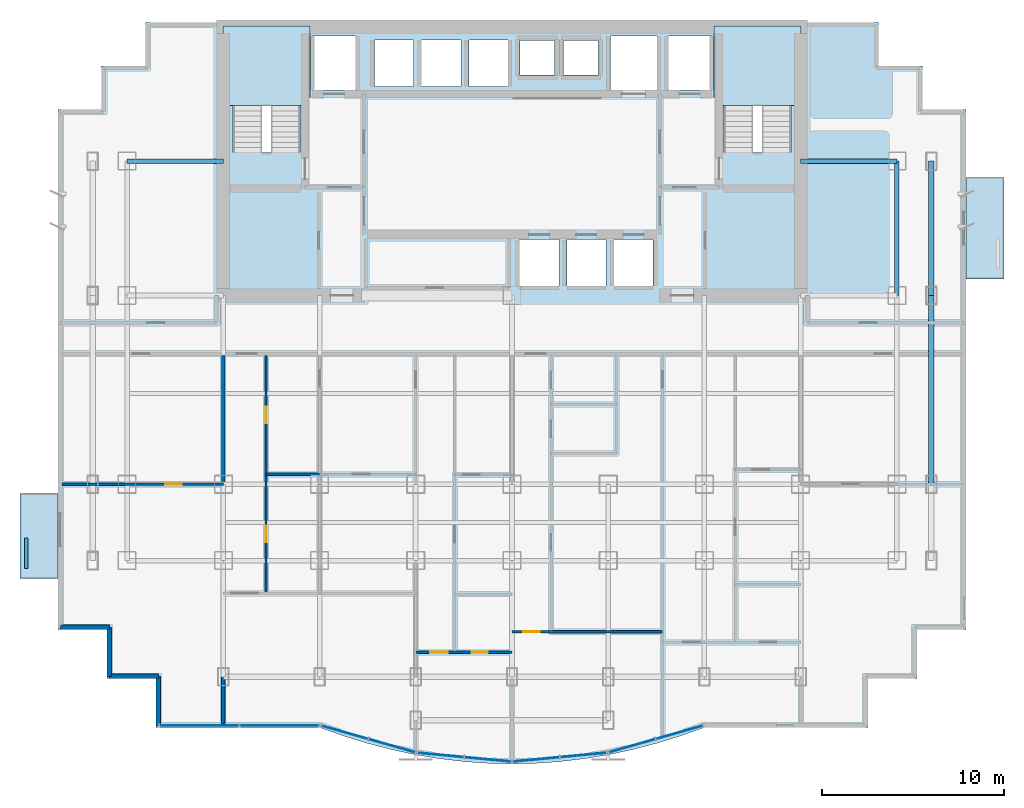
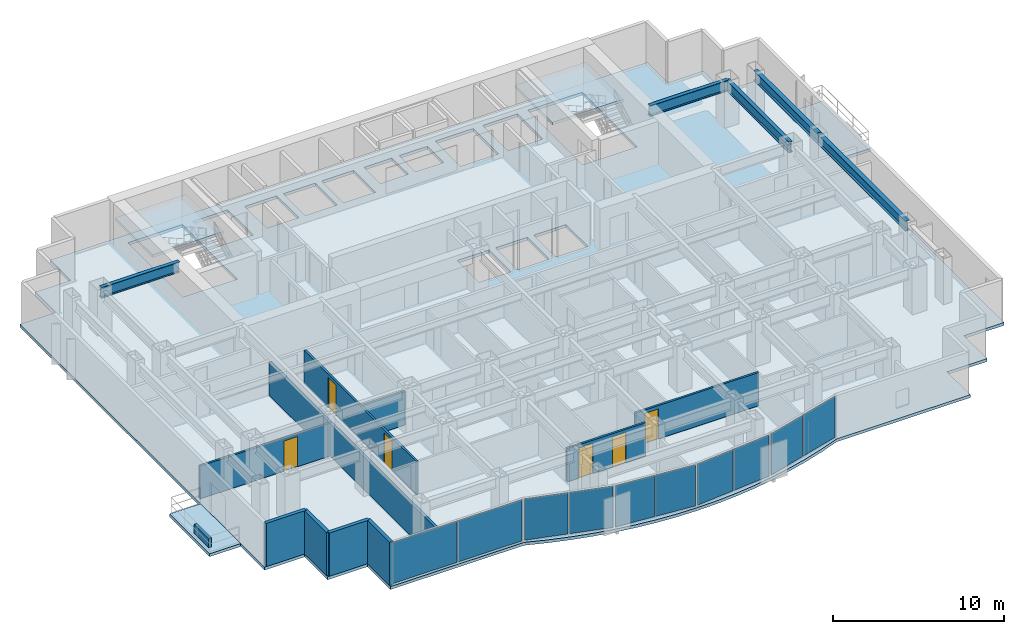
# One storey, part 4 of 10: 11 walls, 10 plates, 6 doors, 5 beams, 5 slabs, 6 openings, 7 elements without a shape of their own.
"""IFC4 building model written with IfcOpenShell, lengths in metres."""

from ifc_helpers import new_model, si_unit, direction, frame, frame_2d, origin, origin_2d, place, context, subcontext, project, spatial, polyline, rectangle, i_section, outline, extrude, source, transform, mapped, material, layer, layer_set, material_profile, profile_set, type_object, element, fill, aggregate, save


model = new_model("IFC4")

# Units and contexts
model_context = context("Model", 3, precision=1e-05, world=origin(), true_north=direction((0.0, 1.0)))
body_context = subcontext(model_context, "Body", "Model", "MODEL_VIEW")
ifc_project = project(units=[si_unit("LENGTHUNIT", "METRE"), si_unit("AREAUNIT", "SQUARE_METRE"), si_unit("VOLUMEUNIT", "CUBIC_METRE"), si_unit("PLANEANGLEUNIT", "RADIAN"), si_unit("MASSUNIT", "GRAM", prefix="KILO")], contexts=[model_context])

# Site, building, storey
site_placement = place(None, origin())
site = spatial("IfcSite", under=ifc_project, at=site_placement, CompositionType="ELEMENT")
building_placement = place(site_placement, origin())
building = spatial("IfcBuilding", under=site, at=building_placement, Name="Qianlan Lanfeng Residences", CompositionType="ELEMENT")
storey_placement = place(building_placement, frame((0.0, 0.0, 98.199951171875)))
storey = spatial("IfcBuildingStorey", under=building, at=storey_placement, Name="L26", CompositionType="ELEMENT", Elevation=98.199951171875)

# Beams
ifc_material_1 = material(Name="Steel SN490B", Category="steel")
ifc_material_profile_1 = material_profile(ifc_material_1, i_section(OverallWidth=0.25, OverallDepth=0.75, WebThickness=0.013916015625, FlangeThickness=0.02490234375, at=origin_2d()), Name="H 750x250x14x25")
ifc_profile_set_1 = profile_set([ifc_material_profile_1], Name="Steel SN490B")
beam_type_1 = type_object("IfcBeamType", Name="G-850", PredefinedType="BEAM", material=ifc_profile_set_1)
for number, where, z_axis, x_axis, name in (
    (1, (5.300048828125, 32.60009765625, 2.715087890625), (1.0, 0.0, 0.0), (0.0, 1.0, 0.0), "Structural beam G-850"),
    (2, (42.39990234375, 32.60009765625, 2.715087890625), (1.0, 0.0, 0.0), (0.0, 1.0, 0.0), "Structural beam G-850"),
):
    element("IfcBeam", number, at=place(storey_placement, frame(where, z_axis=z_axis, x_axis=x_axis)), inside=storey, type_object=beam_type_1, Name=name, PredefinedType="BEAM", context=body_context, shape_type="SweptSolid", body=[
        extrude(i_section(OverallWidth=0.25, OverallDepth=0.75, WebThickness=0.013916015625, FlangeThickness=0.02490234375, at=origin_2d()), origin(), (0.0, 0.0, 1.0), 5.300048828125),
    ])
beam_1_placement = place(storey_placement, frame((47.699951171875, 25.199951171875, 2.715087890625), z_axis=(0.0, 1.0, 0.0), x_axis=(-1.0, 0.0, 0.0)))
element("IfcBeam", 3, at=beam_1_placement, inside=storey, type_object=beam_type_1, Name="Structural beam G-850", PredefinedType="BEAM", context=body_context, shape_type="SweptSolid", body=[
    extrude(i_section(OverallWidth=0.25, OverallDepth=0.75, WebThickness=0.013916015625, FlangeThickness=0.02490234375, at=origin_2d()), origin(), (0.0, 0.0, 1.0), 7.400146484375),
])
ifc_material_profile_2 = material_profile(ifc_material_1, i_section(OverallWidth=0.300048828125, OverallDepth=0.699951171875, WebThickness=0.012939453125, FlangeThickness=0.02392578125, at=origin_2d()), Name="H 700x300x13x24")
ifc_profile_set_2 = profile_set([ifc_material_profile_2], Name="Steel SN490B")
beam_type_2 = type_object("IfcBeamType", Name="SG-750", PredefinedType="SPANDREL", material=ifc_profile_set_2)
beam_2_placement = place(storey_placement, frame((49.60009765625, 14.800048828125, 2.739990234375), z_axis=(0.0, 1.0, 0.0), x_axis=(-1.0, 0.0, 0.0)))
element("IfcBeam", 4, at=beam_2_placement, inside=storey, type_object=beam_type_2, Name="Structural beam SG-750", PredefinedType="SPANDREL", context=body_context, shape_type="SweptSolid", body=[
    extrude(i_section(OverallWidth=0.300048828125, OverallDepth=0.699951171875, WebThickness=0.012939453125, FlangeThickness=0.02392578125, at=origin_2d()), origin(), (0.0, 0.0, 1.0), 10.39990234375),
])
beam_3_placement = place(storey_placement, frame((49.60009765625, 25.199951171875, 2.739990234375), z_axis=(0.0, 1.0, 0.0), x_axis=(-1.0, 0.0, 0.0)))
element("IfcBeam", 5, at=beam_3_placement, inside=storey, type_object=beam_type_2, Name="Structural beam SG-750", PredefinedType="SPANDREL", context=body_context, shape_type="SweptSolid", body=[
    extrude(i_section(OverallWidth=0.300048828125, OverallDepth=0.699951171875, WebThickness=0.012939453125, FlangeThickness=0.02392578125, at=origin_2d()), origin(), (0.0, 0.0, 1.0), 7.400146484375),
])

# Slabs
ifc_material_2 = material(Name="Concrete C42", Category="concrete")
ifc_layer_1 = layer(ifc_material_2, 0.2099609375)
ifc_layer_set_1 = layer_set([ifc_layer_1], Name="Concrete C42")
slab_type_1 = type_object("IfcSlabType", Name="S-BAL-210", PredefinedType="FLOOR", material=ifc_layer_set_1)
slab_1_placement = place(storey_placement, frame((0.0, 0.0, -0.2099609375)))
element("IfcSlab", 6, at=slab_1_placement, inside=storey, type_object=slab_type_1, Name="L26 Planted Tree Balcony Slab WB-S", PredefinedType="FLOOR", context=body_context, shape_type="SweptSolid", body=[
    extrude(outline(polyline([(1.5, 9.60009765625), (1.5, 14.300048828125), (-0.60009765625, 14.300048828125), (-0.60009765625, 9.60009765625), (1.5, 9.60009765625)])), origin(), (0.0, 0.0, 1.0), 0.2099609375),
])
slab_2_placement = place(storey_placement, frame((0.0, 0.0, -0.2099609375)))
element("IfcSlab", 7, at=slab_2_placement, inside=storey, type_object=slab_type_1, Name="L26 Planted Tree Balcony Slab EB-N", PredefinedType="FLOOR", context=body_context, shape_type="SweptSolid", body=[
    extrude(outline(polyline([(51.5, 31.699951171875), (51.5, 26.10009765625), (53.60009765625, 26.10009765625), (53.60009765625, 31.699951171875), (51.5, 31.699951171875)])), origin(), (0.0, 0.0, 1.0), 0.2099609375),
])
ifc_layer_2 = layer(ifc_material_2, 0.2099609375)
ifc_layer_set_2 = layer_set([ifc_layer_2], Name="Concrete C42")
slab_type_2 = type_object("IfcSlabType", Name="S-FL-210", PredefinedType="FLOOR", material=ifc_layer_set_2)
slab_3_placement = place(storey_placement, frame((0.0, 0.0, -0.2099609375)))
element("IfcSlab", 8, at=slab_3_placement, inside=storey, type_object=slab_type_2, Name="L26 Structural Floor Slab", PredefinedType="FLOOR", context=body_context, shape_type="SweptSolid", body=[
    extrude(outline(polyline([(1.5, 6.800048828125), (4.199951171875, 6.800048828125), (4.199951171875, 4.10009765625), (6.89990234375, 4.10009765625), (6.89990234375, 1.39990234375), (15.919921875, 1.39990234375), (17.241943359375, 0.930908203125), (18.56494140625, 0.52490234375), (19.886962890625, 0.180908203125), (21.2099609375, -0.10009765625), (22.531982421875, -0.319091796875), (23.85498046875, -0.47509765625), (25.177001953125, -0.569091796875), (26.5, -0.60009765625), (27.822021484375, -0.569091796875), (29.14501953125, -0.47509765625), (30.467041015625, -0.319091796875), (31.7900390625, -0.10009765625), (33.112060546875, 0.180908203125), (34.43505859375, 0.52490234375), (35.758056640625, 0.930908203125), (37.080078125, 1.39990234375), (46.10009765625, 1.39990234375), (46.10009765625, 4.10009765625), (48.800048828125, 4.10009765625), (48.800048828125, 6.800048828125), (51.5, 6.800048828125), (51.5, 35.449951171875), (49.10009765625, 35.449951171875), (49.10009765625, 37.85009765625), (46.699951171875, 37.85009765625), (46.699951171875, 40.25), (6.300048828125, 40.25), (6.300048828125, 37.85009765625), (3.89990234375, 37.85009765625), (3.89990234375, 35.449951171875), (1.5, 35.449951171875), (1.5, 6.800048828125)]), holes=[polyline([(11.139892578125, 33.080078125), (11.139892578125, 39.5), (14.820068359375, 39.5), (14.820068359375, 33.080078125), (11.139892578125, 33.080078125)]), polyline([(38.179931640625, 33.080078125), (38.179931640625, 39.5), (41.860107421875, 39.5), (41.860107421875, 33.080078125), (38.179931640625, 33.080078125)]), polyline([(15.52001953125, 36.52001953125), (15.52001953125, 39.47998046875), (17.8798828125, 39.47998046875), (17.8798828125, 36.52001953125), (15.52001953125, 36.52001953125)]), polyline([(35.1201171875, 36.52001953125), (35.1201171875, 39.47998046875), (37.47998046875, 39.47998046875), (37.47998046875, 36.52001953125), (35.1201171875, 36.52001953125)]), polyline([(31.919921875, 36.52001953125), (31.919921875, 39.47998046875), (34.47998046875, 39.47998046875), (34.47998046875, 36.52001953125), (31.919921875, 36.52001953125)]), polyline([(26.919921875, 25.719970703125), (26.919921875, 28.280029296875), (29.080078125, 28.280029296875), (29.080078125, 25.719970703125), (26.919921875, 25.719970703125)]), polyline([(29.52001953125, 25.719970703125), (29.52001953125, 28.280029296875), (31.679931640625, 28.280029296875), (31.679931640625, 25.719970703125), (29.52001953125, 25.719970703125)]), polyline([(32.1201171875, 25.719970703125), (32.1201171875, 28.280029296875), (34.280029296875, 28.280029296875), (34.280029296875, 25.719970703125), (32.1201171875, 25.719970703125)]), polyline([(18.919921875, 36.719970703125), (18.919921875, 39.280029296875), (21.080078125, 39.280029296875), (21.080078125, 36.719970703125), (18.919921875, 36.719970703125)]), polyline([(21.52001953125, 36.719970703125), (21.52001953125, 39.280029296875), (23.679931640625, 39.280029296875), (23.679931640625, 36.719970703125), (21.52001953125, 36.719970703125)]), polyline([(24.1201171875, 36.719970703125), (24.1201171875, 39.280029296875), (26.280029296875, 39.280029296875), (26.280029296875, 36.719970703125), (24.1201171875, 36.719970703125)]), polyline([(26.949951171875, 37.35009765625), (26.949951171875, 39.25), (28.85009765625, 39.25), (28.85009765625, 37.35009765625), (26.949951171875, 37.35009765625)]), polyline([(29.35009765625, 37.35009765625), (29.35009765625, 39.25), (31.25, 39.25), (31.25, 37.35009765625), (29.35009765625, 37.35009765625)])]), origin(), (0.0, 0.0, 1.0), 0.2099609375),
])

# Stair, slab
stair_type = type_object("IfcStairType", Name="STR-MAIN", PredefinedType="HALF_TURN_STAIR", material=ifc_material_2)
stair_1_placement = place(storey_placement, origin())
stair_1 = element("IfcStair", 9, at=stair_1_placement, inside=storey, type_object=stair_type, Name="L26 Exit Stair ST-1", PredefinedType="HALF_TURN_STAIR")
ifc_layer_3 = layer(ifc_material_2, 0.179931640625)
ifc_layer_set_3 = layer_set([ifc_layer_3], Name="Concrete C42")
slab_type_3 = type_object("IfcSlabType", Name="S-LND-180", PredefinedType="LANDING", material=ifc_layer_set_3)
slab_4_placement = place(storey_placement, frame((0.0, 0.0, 1.449951171875)))
slab_4 = element("IfcSlab", 10, at=slab_4_placement, type_object=slab_type_3, Name="ST-1 landing 1", PredefinedType="LANDING", context=body_context, shape_type="SweptSolid", body=[
    extrude(outline(polyline([(10.580078125, 35.659912109375), (15.3798828125, 35.659912109375), (15.3798828125, 40.050048828125), (10.580078125, 40.050048828125), (10.580078125, 35.659912109375)])), origin(), (0.0, 0.0, 1.0), 0.2001953125),
])
aggregate(stair_1, [slab_4])

stair_2_placement = place(storey_placement, origin())
stair_2 = element("IfcStair", 11, at=stair_2_placement, inside=storey, type_object=stair_type, Name="L26 Exit Stair ST-2", PredefinedType="HALF_TURN_STAIR")
slab_5_placement = place(storey_placement, frame((0.0, 0.0, 1.449951171875)))
slab_5 = element("IfcSlab", 12, at=slab_5_placement, type_object=slab_type_3, Name="ST-2 landing 1", PredefinedType="LANDING", context=body_context, shape_type="SweptSolid", body=[
    extrude(outline(polyline([(37.6201171875, 35.659912109375), (42.419921875, 35.659912109375), (42.419921875, 40.050048828125), (37.6201171875, 40.050048828125), (37.6201171875, 35.659912109375)])), origin(), (0.0, 0.0, 1.0), 0.2001953125),
])
aggregate(stair_2, [slab_5])

# Curtain wall, plates
ifc_material_3 = material(Name="Anodised Bronze Aluminium 6063-T6", Category="aluminium")
ifc_layer_4 = layer(ifc_material_3, 0.219970703125)
ifc_layer_set_4 = layer_set([ifc_layer_4], Name="Anodised Bronze Aluminium 6063-T6")
curtain_wall_type = type_object("IfcCurtainWallType", Name="CW-03", PredefinedType="NOTDEFINED", material=ifc_layer_set_4)
curtain_wall_1_placement = place(storey_placement, origin())
curtain_wall_1 = element("IfcCurtainWall", 13, at=curtain_wall_1_placement, inside=storey, type_object=curtain_wall_type, Name="L26 Unitised Curtain Wall CWR-L26-01 (CW-03)", PredefinedType="NOTDEFINED")
ifc_material_4 = material(Name="Dark Bronze Tinted Insulated Glass", Category="glass")
ifc_layer_5 = layer(ifc_material_4, 0.0380859375)
ifc_layer_set_5 = layer_set([ifc_layer_5], Name="Dark Bronze Tinted Insulated Glass")
plate_type_1 = type_object("IfcPlateType", Name="PNL-GLZ-BRZ", PredefinedType="CURTAIN_PANEL", material=ifc_layer_set_5)
shared_shape_1 = source(origin(), body_context, "Body", "SweptSolid", [
    extrude(rectangle(XDim=4.342529296875, YDim=0.0380859375, at=origin_2d()), origin(), (0.0, 0.0, 1.0), 2.931884765625),
])
plate_1_placement = place(storey_placement, frame((9.270263671875, 1.52001953125, 0.0791015625), z_axis=(0.0, 0.0, 1.0), x_axis=(1.0, 0.0, 0.0)))
plate_1 = element("IfcPlate", 14, at=plate_1_placement, type_object=plate_type_1, Name="CWR-L26-01 Curtain Panel 1", PredefinedType="CURTAIN_PANEL", context=body_context, shape_type="MappedRepresentation", body=[
    mapped(shared_shape_1, transform((0.0, 0.0, 0.0), scale=1.0)),
])
plate_2_placement = place(storey_placement, frame((13.690673828125, 1.52001953125, 0.0791015625), z_axis=(0.0, 0.0, 1.0), x_axis=(1.0, 0.0, 0.0)))
plate_2 = element("IfcPlate", 15, at=plate_2_placement, type_object=plate_type_1, Name="CWR-L26-01 Curtain Panel 2", PredefinedType="CURTAIN_PANEL", context=body_context, shape_type="MappedRepresentation", body=[
    mapped(shared_shape_1, transform((0.0, 0.0, 0.0), scale=1.0)),
])
aggregate(curtain_wall_1, [plate_1, plate_2])

# Curtain wall, plate
curtain_wall_2_placement = place(storey_placement, origin())
curtain_wall_2 = element("IfcCurtainWall", 16, at=curtain_wall_2_placement, inside=storey, type_object=curtain_wall_type, Name="L26 Unitised Curtain Wall CWR-L26-02 (CW-03)", PredefinedType="NOTDEFINED")
shared_shape_2 = source(origin(), body_context, "Body", "SweptSolid", [
    extrude(rectangle(XDim=2.632080078125, YDim=0.0380859375, at=origin_2d()), origin(), (0.0, 0.0, 1.0), 2.931884765625),
])
plate_3_placement = place(storey_placement, frame((17.282958984375, 1.138916015625, 0.0791015625), z_axis=(0.0, 0.0, 1.0), x_axis=(0.961989074302, -0.273087936247, 0.0)))
plate_3 = element("IfcPlate", 17, at=plate_3_placement, type_object=plate_type_1, Name="CWR-L26-02 Curtain Panel 1", PredefinedType="CURTAIN_PANEL", context=body_context, shape_type="MappedRepresentation", body=[
    mapped(shared_shape_2, transform((0.0, 0.0, 0.0), scale=1.0)),
])

# Curtain wall, plates
curtain_wall_3_placement = place(storey_placement, origin())
curtain_wall_3 = element("IfcCurtainWall", 18, at=curtain_wall_3_placement, inside=storey, type_object=curtain_wall_type, Name="L26 Unitised Curtain Wall CWR-L26-05 (CW-03)", PredefinedType="NOTDEFINED")
plate_4_placement = place(storey_placement, frame((33.110107421875, 0.39892578125, 0.0791015625), z_axis=(0.0, 0.0, 1.0), x_axis=(0.961989074302, 0.273087936247, 0.0)))
plate_4 = element("IfcPlate", 19, at=plate_4_placement, type_object=plate_type_1, Name="CWR-L26-05 Curtain Panel 1", PredefinedType="CURTAIN_PANEL", context=body_context, shape_type="MappedRepresentation", body=[
    mapped(shared_shape_2, transform((0.0, 0.0, 0.0), scale=1.0)),
])
plate_5_placement = place(storey_placement, frame((35.717041015625, 1.138916015625, 0.0791015625), z_axis=(0.0, 0.0, 1.0), x_axis=(0.961989074302, 0.273087936247, 0.0)))
plate_5 = element("IfcPlate", 20, at=plate_5_placement, type_object=plate_type_1, Name="CWR-L26-05 Curtain Panel 2", PredefinedType="CURTAIN_PANEL", context=body_context, shape_type="MappedRepresentation", body=[
    mapped(shared_shape_2, transform((0.0, 0.0, 0.0), scale=1.0)),
])
aggregate(curtain_wall_3, [plate_4, plate_5])

# Plate
ifc_material_5 = material(Name="Perforated Champagne Gold Aluminium Panel", Category="aluminium")
ifc_layer_6 = layer(ifc_material_5, 0.0400390625)
ifc_layer_set_6 = layer_set([ifc_layer_6], Name="Perforated Champagne Gold Aluminium Panel")
plate_type_2 = type_object("IfcPlateType", Name="PNL-PRF-GLD", PredefinedType="CURTAIN_PANEL", material=ifc_layer_set_6)
shared_shape_3 = source(origin(), body_context, "Body", "SweptSolid", [
    extrude(rectangle(XDim=2.632080078125, YDim=0.0400390625, at=origin_2d()), origin(), (0.0, 0.0, 1.0), 2.931884765625),
])
plate_6_placement = place(storey_placement, frame((19.889892578125, 0.39892578125, 0.0791015625), z_axis=(0.0, 0.0, 1.0), x_axis=(0.961989074302, -0.273087936247, 0.0)))
plate_6 = element("IfcPlate", 21, at=plate_6_placement, type_object=plate_type_2, Name="CWR-L26-02 Curtain Panel 2", PredefinedType="CURTAIN_PANEL", context=body_context, shape_type="MappedRepresentation", body=[
    mapped(shared_shape_3, transform((0.0, 0.0, 0.0), scale=1.0)),
])

aggregate(curtain_wall_2, [plate_3, plate_6])

# Curtain wall, plate
curtain_wall_4_placement = place(storey_placement, origin())
curtain_wall_4 = element("IfcCurtainWall", 22, at=curtain_wall_4_placement, inside=storey, type_object=curtain_wall_type, Name="L26 Unitised Curtain Wall CWR-L26-03 (CW-03)", PredefinedType="NOTDEFINED")
shared_shape_4 = source(origin(), body_context, "Body", "SweptSolid", [
    extrude(rectangle(XDim=2.527587890625, YDim=0.0380859375, at=origin_2d()), origin(), (0.0, 0.0, 1.0), 2.931884765625),
])
plate_7_placement = place(storey_placement, frame((22.56884765625, -0.1083984375, 0.0791015625), z_axis=(0.0, 0.0, 1.0), x_axis=(0.995561471839, -0.094113526067, 0.0)))
plate_7 = element("IfcPlate", 23, at=plate_7_placement, type_object=plate_type_1, Name="CWR-L26-03 Curtain Panel 1", PredefinedType="CURTAIN_PANEL", context=body_context, shape_type="MappedRepresentation", body=[
    mapped(shared_shape_4, transform((0.0, 0.0, 0.0), scale=1.0)),
])

curtain_wall_5_placement = place(storey_placement, origin())
curtain_wall_5 = element("IfcCurtainWall", 24, at=curtain_wall_5_placement, inside=storey, type_object=curtain_wall_type, Name="L26 Unitised Curtain Wall CWR-L26-04 (CW-03)", PredefinedType="NOTDEFINED")
plate_8_placement = place(storey_placement, frame((27.8369140625, -0.353515625, 0.0791015625), z_axis=(0.0, 0.0, 1.0), x_axis=(0.995561471839, 0.094113526067, 0.0)))
plate_8 = element("IfcPlate", 25, at=plate_8_placement, type_object=plate_type_1, Name="CWR-L26-04 Curtain Panel 1", PredefinedType="CURTAIN_PANEL", context=body_context, shape_type="MappedRepresentation", body=[
    mapped(shared_shape_4, transform((0.0, 0.0, 0.0), scale=1.0)),
])

# Plate
shared_shape_5 = source(origin(), body_context, "Body", "SweptSolid", [
    extrude(rectangle(XDim=2.52783203125, YDim=0.0380859375, at=origin_2d()), origin(), (0.0, 0.0, 1.0), 2.931884765625),
])
plate_9_placement = place(storey_placement, frame((25.1630859375, -0.353515625, 0.0791015625), z_axis=(0.0, 0.0, 1.0), x_axis=(0.995561471839, -0.094113526067, 0.0)))
plate_9 = element("IfcPlate", 26, at=plate_9_placement, type_object=plate_type_1, Name="CWR-L26-03 Curtain Panel 2", PredefinedType="CURTAIN_PANEL", context=body_context, shape_type="MappedRepresentation", body=[
    mapped(shared_shape_5, transform((0.0, 0.0, 0.0), scale=1.0)),
])

aggregate(curtain_wall_4, [plate_7, plate_9])

shared_shape_6 = source(origin(), body_context, "Body", "SweptSolid", [
    extrude(rectangle(XDim=2.52783203125, YDim=0.0400390625, at=origin_2d()), origin(), (0.0, 0.0, 1.0), 2.931884765625),
])
plate_10_placement = place(storey_placement, frame((30.43115234375, -0.1083984375, 0.0791015625), z_axis=(0.0, 0.0, 1.0), x_axis=(0.995561471839, 0.094113526067, 0.0)))
plate_10 = element("IfcPlate", 27, at=plate_10_placement, type_object=plate_type_2, Name="CWR-L26-04 Curtain Panel 2", PredefinedType="CURTAIN_PANEL", context=body_context, shape_type="MappedRepresentation", body=[
    mapped(shared_shape_6, transform((0.0, 0.0, 0.0), scale=1.0)),
])

aggregate(curtain_wall_5, [plate_8, plate_10])

# Walls
ifc_layer_7 = layer(ifc_material_2, 0.239990234375)
ifc_layer_set_7 = layer_set([ifc_layer_7], Name="Concrete C42")
wall_type_1 = type_object("IfcWallType", Name="EW-240", PredefinedType="SOLIDWALL", material=ifc_layer_set_7)
for number, where, z_axis, x_axis, name in (
    (28, (1.6201171875, 6.919921875, 0.0), (0.0, 0.0, 1.0), (1.0, 0.0, 0.0), "L26 Exterior Facade Spandrel Wall 1"),
    (29, (4.320068359375, 6.919921875, 0.0), (0.0, 0.0, 1.0), (0.0, -1.0, 0.0), "L26 Exterior Facade Spandrel Wall 2"),
    (30, (4.320068359375, 4.219970703125, 0.0), (0.0, 0.0, 1.0), (1.0, 0.0, 0.0), "L26 Exterior Facade Spandrel Wall 3"),
    (31, (7.02001953125, 4.219970703125, 0.0), (0.0, 0.0, 1.0), (0.0, -1.0, 0.0), "L26 Exterior Facade Spandrel Wall 4"),
):
    element("IfcWall", number, at=place(storey_placement, frame(where, z_axis=z_axis, x_axis=x_axis)), inside=storey, type_object=wall_type_1, Name=name, PredefinedType="SOLIDWALL", context=body_context, shape_type="SweptSolid", body=[
        extrude(rectangle(XDim=2.699951171875, YDim=0.239990234375, at=frame_2d((1.35009765625, 0.0))), origin(), (0.0, 0.0, 1.0), 3.090087890625),
    ])
ifc_layer_8 = layer(ifc_material_2, 0.199951171875)
ifc_layer_set_8 = layer_set([ifc_layer_8], Name="Concrete C42")
wall_type_2 = type_object("IfcWallType", Name="PL-TREE-200", PredefinedType="PARAPET", material=ifc_layer_set_8)
wall_1_placement = place(storey_placement, frame((-0.25, 10.14990234375, 0.0), z_axis=(0.0, 0.0, 1.0), x_axis=(0.0, 1.0, 0.0)))
element("IfcWall", 32, at=wall_1_placement, inside=storey, type_object=wall_type_2, Name="L26 West Tree Planter Curb WB-S", PredefinedType="PARAPET", context=body_context, shape_type="SweptSolid", body=[
    extrude(rectangle(XDim=1.7001953125, YDim=0.199951171875, at=frame_2d((0.85009765625, 0.0))), origin(), (0.0, 0.0, 1.0), 0.650146484375),
])

# Wall, openings, doors
ifc_material_6 = material(Name="Moisture-Resistant Gypsum Partition 135 mm")
ifc_layer_9 = layer(ifc_material_6, 0.135009765625)
ifc_layer_set_9 = layer_set([ifc_layer_9], Name="Moisture-Resistant Gypsum Partition 135 mm")
wall_type_3 = type_object("IfcWallType", Name="PW-135", PredefinedType="PARTITIONING", material=ifc_layer_set_9)
wall_2_placement = place(storey_placement, frame((12.949951171875, 8.7900390625, 0.0), z_axis=(0.0, 0.0, 1.0), x_axis=(0.0, 1.0, 0.0)))
wall_2 = element("IfcWall", 33, at=wall_2_placement, inside=storey, type_object=wall_type_3, Name="L26 U01 Kitchen/Bath Wall", PredefinedType="PARTITIONING", context=body_context, shape_type="SweptSolid", body=[
    extrude(rectangle(XDim=13.10986328125, YDim=0.135009765625, at=frame_2d((6.554931640625, 0.0))), origin(), (0.0, 0.0, 1.0), 2.380126953125),
])
opening_1_placement = place(wall_2_placement, frame((2.81689453125, 0.0, 0.0)))
opening_1 = element("IfcOpeningElement", 34, at=opening_1_placement, cuts=wall_2, Name="Opening L26-D18", PredefinedType="OPENING", context=body_context, shape_type="SweptSolid", body=[
    extrude(rectangle(XDim=0.919921875, YDim=2.14990234375, at=frame_2d((0.4599609375, 1.074951171875))), frame((0.0, 0.07763671875, 0.0), z_axis=(0.0, -1.0, 0.0), x_axis=(1.0, 0.0, 0.0)), (0.0, 0.0, 1.0), 0.155029296875),
])
opening_2_placement = place(wall_2_placement, frame((9.383056640625, 0.0, 0.0)))
opening_2 = element("IfcOpeningElement", 35, at=opening_2_placement, cuts=wall_2, Name="Opening L26-D19", PredefinedType="OPENING", context=body_context, shape_type="SweptSolid", body=[
    extrude(rectangle(XDim=0.89990234375, YDim=2.14990234375, at=frame_2d((0.449951171875, 1.074951171875))), frame((0.0, 0.07763671875, 0.0), z_axis=(0.0, -1.0, 0.0), x_axis=(1.0, 0.0, 0.0)), (0.0, 0.0, 1.0), 0.155029296875),
])
ifc_material_7 = material(Name="Glazed Timber Kitchen/Study Door", Category="wood")
door_type_1 = type_object("IfcDoorType", Name="DT-INT", OperationType="NOTDEFINED", PredefinedType="DOOR", material=ifc_material_7)
door_1_placement = place(opening_1_placement, origin())
door_1 = element("IfcDoor", 36, at=door_1_placement, inside=storey, type_object=door_type_1, Name="L26 U01 Kitchen Door L26-D18 (DT-INT)", OperationType="SINGLE_SWING_LEFT", OverallHeight=2.14990234375, OverallWidth=0.919921875, PredefinedType="DOOR", context=body_context, shape_type="SweptSolid", body=[
    extrude(rectangle(XDim=0.919921875, YDim=2.14990234375, at=frame_2d((0.4599609375, 1.074951171875))), frame((0.0, 0.02490234375, 0.0), z_axis=(0.0, -1.0, 0.0), x_axis=(1.0, 0.0, 0.0)), (0.0, 0.0, 1.0), 0.050048828125),
])
fill(opening_1, door_1)
ifc_material_8 = material(Name="Moisture-Resistant Timber Leaf", Category="wood")
door_type_2 = type_object("IfcDoorType", Name="DT-WC", OperationType="NOTDEFINED", PredefinedType="DOOR", material=ifc_material_8)
door_2_placement = place(opening_2_placement, origin())
door_2 = element("IfcDoor", 37, at=door_2_placement, inside=storey, type_object=door_type_2, Name="L26 U01 Bathroom Door L26-D19 (DT-WC)", OperationType="SINGLE_SWING_RIGHT", OverallHeight=2.14990234375, OverallWidth=0.89990234375, PredefinedType="DOOR", context=body_context, shape_type="SweptSolid", body=[
    extrude(rectangle(XDim=0.89990234375, YDim=2.14990234375, at=frame_2d((0.449951171875, 1.074951171875))), frame((0.0, 0.02490234375, 0.0), z_axis=(0.0, -1.0, 0.0), x_axis=(1.0, 0.0, 0.0)), (0.0, 0.0, 1.0), 0.050048828125),
])
fill(opening_2, door_2)

# Wall
wall_3_placement = place(storey_placement, frame((12.949951171875, 15.344970703125, 0.0), z_axis=(0.0, 0.0, 1.0), x_axis=(1.0, 0.0, 0.0)))
element("IfcWall", 38, at=wall_3_placement, inside=storey, type_object=wall_type_3, Name="L26 U01 Bath Split Wall", PredefinedType="PARTITIONING", context=body_context, shape_type="SweptSolid", body=[
    extrude(rectangle(XDim=2.949951171875, YDim=0.135009765625, at=frame_2d((1.47509765625, 0.0))), origin(), (0.0, 0.0, 1.0), 2.380126953125),
])

# Wall, openings, doors
wall_4_placement = place(storey_placement, frame((21.199951171875, 5.547119140625, 0.0), z_axis=(0.0, 0.0, 1.0), x_axis=(1.0, 0.0, 0.0)))
wall_4 = element("IfcWall", 39, at=wall_4_placement, inside=storey, type_object=wall_type_3, Name="L26 U01 Master Bedroom North Wall", PredefinedType="PARTITIONING", context=body_context, shape_type="SweptSolid", body=[
    extrude(rectangle(XDim=5.300048828125, YDim=0.135009765625, at=frame_2d((2.64990234375, 0.0))), origin(), (0.0, 0.0, 1.0), 2.380126953125),
])
opening_3_placement = place(wall_4_placement, frame((0.800048828125, 0.0, 0.0)))
opening_3 = element("IfcOpeningElement", 40, at=opening_3_placement, cuts=wall_4, Name="Opening L26-D21", PredefinedType="OPENING", context=body_context, shape_type="SweptSolid", body=[
    extrude(rectangle(XDim=0.949951171875, YDim=2.14990234375, at=frame_2d((0.47509765625, 1.074951171875))), frame((0.0, 0.07763671875, 0.0), z_axis=(0.0, -1.0, 0.0), x_axis=(1.0, 0.0, 0.0)), (0.0, 0.0, 1.0), 0.155029296875),
])
opening_4_placement = place(wall_4_placement, frame((3.074951171875, 0.0, 0.0)))
opening_4 = element("IfcOpeningElement", 41, at=opening_4_placement, cuts=wall_4, Name="Opening L26-D22", PredefinedType="OPENING", context=body_context, shape_type="SweptSolid", body=[
    extrude(rectangle(XDim=0.89990234375, YDim=2.14990234375, at=frame_2d((0.449951171875, 1.074951171875))), frame((0.0, 0.07763671875, 0.0), z_axis=(0.0, -1.0, 0.0), x_axis=(1.0, 0.0, 0.0)), (0.0, 0.0, 1.0), 0.155029296875),
])
ifc_material_9 = material(Name="Painted Solid-Core Timber Leaf", Category="wood")
door_type_3 = type_object("IfcDoorType", Name="DT-BED", OperationType="NOTDEFINED", PredefinedType="DOOR", material=ifc_material_9)
door_3_placement = place(opening_3_placement, origin())
door_3 = element("IfcDoor", 42, at=door_3_placement, inside=storey, type_object=door_type_3, Name="L26 U01 Master Bedroom Door L26-D21 (DT-BED)", OperationType="SINGLE_SWING_LEFT", OverallHeight=2.14990234375, OverallWidth=0.949951171875, PredefinedType="DOOR", context=body_context, shape_type="SweptSolid", body=[
    extrude(rectangle(XDim=0.949951171875, YDim=2.14990234375, at=frame_2d((0.47509765625, 1.074951171875))), frame((0.0, 0.02490234375, 0.0), z_axis=(0.0, -1.0, 0.0), x_axis=(1.0, 0.0, 0.0)), (0.0, 0.0, 1.0), 0.050048828125),
])
fill(opening_3, door_3)
door_4_placement = place(opening_4_placement, origin())
door_4 = element("IfcDoor", 43, at=door_4_placement, inside=storey, type_object=door_type_2, Name="L26 U01 En-Suite Bathroom Door L26-D22 (DT-WC)", OperationType="SINGLE_SWING_LEFT", OverallHeight=2.14990234375, OverallWidth=0.89990234375, PredefinedType="DOOR", context=body_context, shape_type="SweptSolid", body=[
    extrude(rectangle(XDim=0.89990234375, YDim=2.14990234375, at=frame_2d((0.449951171875, 1.074951171875))), frame((0.0, 0.02490234375, 0.0), z_axis=(0.0, -1.0, 0.0), x_axis=(1.0, 0.0, 0.0)), (0.0, 0.0, 1.0), 0.050048828125),
])
fill(opening_4, door_4)

# Wall, opening, door
wall_5_placement = place(storey_placement, frame((26.5, 6.680908203125, 0.0), z_axis=(0.0, 0.0, 1.0), x_axis=(1.0, 0.0, 0.0)))
wall_5 = element("IfcWall", 44, at=wall_5_placement, inside=storey, type_object=wall_type_3, Name="L26 U02 Living Divider", PredefinedType="PARTITIONING", context=body_context, shape_type="SweptSolid", body=[
    extrude(rectangle(XDim=8.300048828125, YDim=0.135009765625, at=frame_2d((4.14990234375, 0.0))), origin(), (0.0, 0.0, 1.0), 2.380126953125),
])
opening_5_placement = place(wall_5_placement, frame((0.614990234375, 0.0, 0.0)))
opening_5 = element("IfcOpeningElement", 45, at=opening_5_placement, cuts=wall_5, Name="Opening L26-D27", PredefinedType="OPENING", context=body_context, shape_type="SweptSolid", body=[
    extrude(rectangle(XDim=0.919921875, YDim=2.14990234375, at=frame_2d((0.4599609375, 1.074951171875))), frame((0.0, 0.07763671875, 0.0), z_axis=(0.0, -1.0, 0.0), x_axis=(1.0, 0.0, 0.0)), (0.0, 0.0, 1.0), 0.155029296875),
])
door_5_placement = place(opening_5_placement, frame((0.919921875, 0.0, 0.0), z_axis=(0.0, 0.0, 1.0), x_axis=(-1.0, 0.0, 0.0)))
door_5 = element("IfcDoor", 46, at=door_5_placement, inside=storey, type_object=door_type_1, Name="L26 U02 Living Passage Door L26-D27 (DT-INT)", OperationType="SINGLE_SWING_RIGHT", OverallHeight=2.14990234375, OverallWidth=0.919921875, PredefinedType="DOOR", context=body_context, shape_type="SweptSolid", body=[
    extrude(rectangle(XDim=0.919921875, YDim=2.14990234375, at=frame_2d((0.4599609375, 1.074951171875))), frame((0.0, 0.02490234375, 0.0), z_axis=(0.0, -1.0, 0.0), x_axis=(1.0, 0.0, 0.0)), (0.0, 0.0, 1.0), 0.050048828125),
])
fill(opening_5, door_5)

wall_6_placement = place(storey_placement, frame((1.719970703125, 14.800048828125, 0.0), z_axis=(0.0, 0.0, 1.0), x_axis=(1.0, 0.0, 0.0)))
wall_6 = element("IfcWall", 47, at=wall_6_placement, inside=storey, type_object=wall_type_3, Name="L26 SWP Mid Partition", PredefinedType="PARTITIONING", context=body_context, shape_type="SweptSolid", body=[
    extrude(rectangle(XDim=8.880126953125, YDim=0.135009765625, at=frame_2d((4.43994140625, 0.0))), origin(), (0.0, 0.0, 1.0), 2.3349609375),
])
opening_6_placement = place(wall_6_placement, frame((5.679931640625, 0.0, 0.0)))
opening_6 = element("IfcOpeningElement", 48, at=opening_6_placement, cuts=wall_6, Name="Opening L26-D35", PredefinedType="OPENING", context=body_context, shape_type="SweptSolid", body=[
    extrude(rectangle(XDim=0.919921875, YDim=2.14990234375, at=frame_2d((0.4599609375, 1.074951171875))), frame((0.0, 0.07763671875, 0.0), z_axis=(0.0, -1.0, 0.0), x_axis=(1.0, 0.0, 0.0)), (0.0, 0.0, 1.0), 0.155029296875),
])
door_6_placement = place(opening_6_placement, origin())
door_6 = element("IfcDoor", 49, at=door_6_placement, inside=storey, type_object=door_type_1, Name="L26 SWP Inner Door L26-D35 (DT-INT)", OperationType="SINGLE_SWING_RIGHT", OverallHeight=2.14990234375, OverallWidth=0.919921875, PredefinedType="DOOR", context=body_context, shape_type="SweptSolid", body=[
    extrude(rectangle(XDim=0.919921875, YDim=2.14990234375, at=frame_2d((0.4599609375, 1.074951171875))), frame((0.0, 0.02490234375, 0.0), z_axis=(0.0, -1.0, 0.0), x_axis=(1.0, 0.0, 0.0)), (0.0, 0.0, 1.0), 0.050048828125),
])
fill(opening_6, door_6)

# Wall
ifc_material_10 = material(Name="Double-Layer Acoustic Gypsum Stud Wall 180 mm")
ifc_layer_10 = layer(ifc_material_10, 0.179931640625)
ifc_layer_set_10 = layer_set([ifc_layer_10], Name="Double-Layer Acoustic Gypsum Stud Wall 180 mm")
wall_type_4 = type_object("IfcWallType", Name="PW-180", PredefinedType="PARTITIONING", material=ifc_layer_set_10)
wall_7_placement = place(storey_placement, frame((10.60009765625, 1.6201171875, 0.0), z_axis=(0.0, 0.0, 1.0), x_axis=(0.0, 1.0, 0.0)))
element("IfcWall", 50, at=wall_7_placement, inside=storey, type_object=wall_type_4, Name="L26 Wing Boundary Party Wall W0", PredefinedType="PARTITIONING", context=body_context, shape_type="SweptSolid", body=[
    extrude(rectangle(XDim=20.27978515625, YDim=0.179931640625, at=frame_2d((10.139892578125, 0.0))), origin(), (0.0, 0.0, 1.0), 2.3349609375),
])

save(model, "model.ifc")
